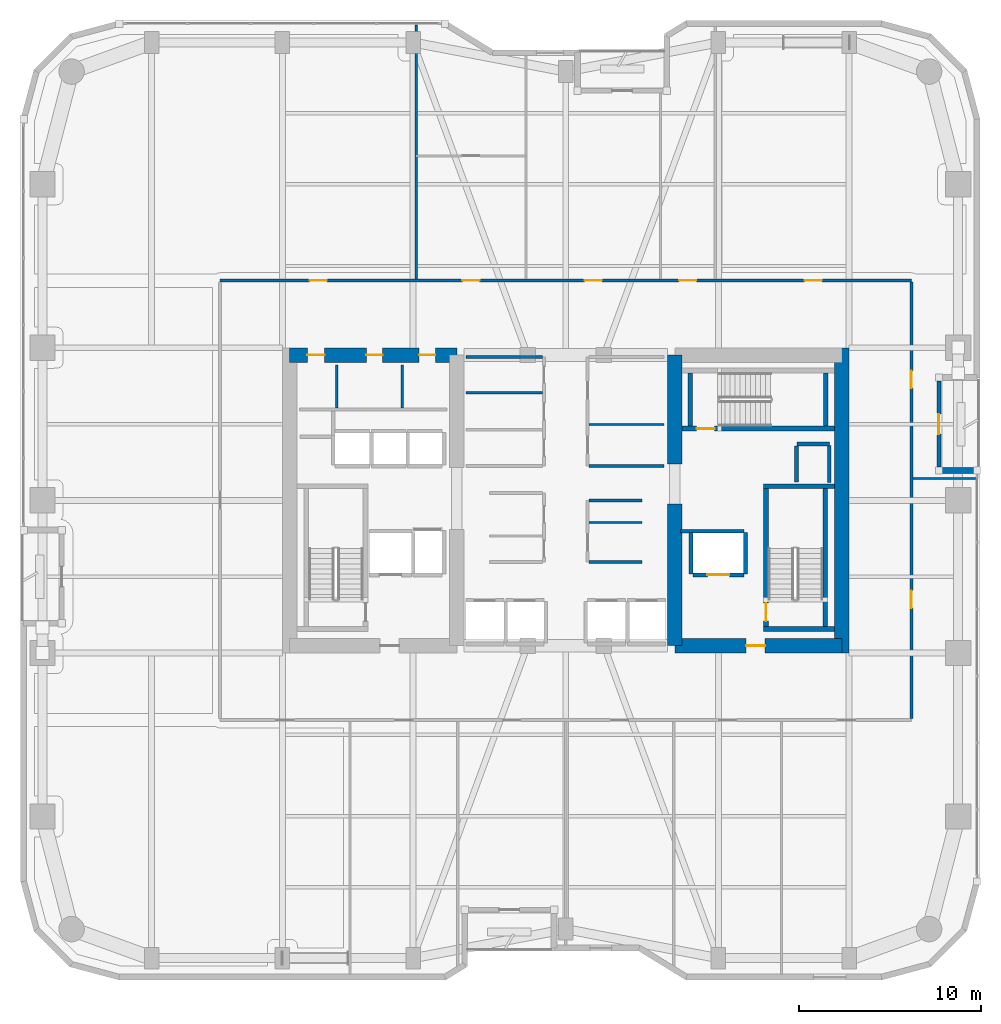
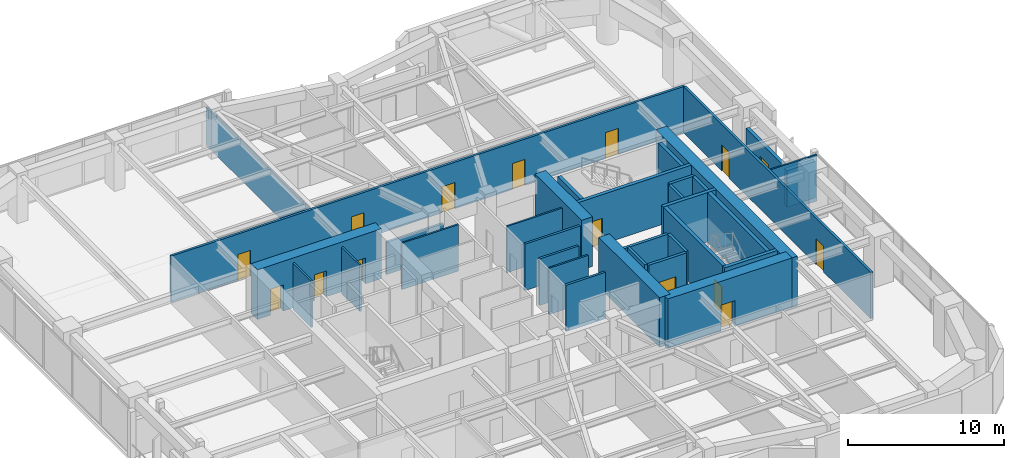
# One storey, part 20 of 24: 34 walls, 15 doors, 15 openings.
"""IFC4 building model written with IfcOpenShell, lengths in metres."""

from ifc_helpers import new_model, si_unit, direction, frame, frame_2d, origin, place, context, subcontext, project, spatial, rectangle, extrude, material, layer, layer_set, type_object, element, fill, save


model = new_model("IFC4")

# Units and contexts
model_context = context("Model", 3, precision=1e-05, world=origin(), true_north=direction((0.0, 1.0)))
body_context = subcontext(model_context, "Body", "Model", "MODEL_VIEW")
ifc_project = project(units=[si_unit("LENGTHUNIT", "METRE"), si_unit("AREAUNIT", "SQUARE_METRE"), si_unit("VOLUMEUNIT", "CUBIC_METRE"), si_unit("PLANEANGLEUNIT", "RADIAN"), si_unit("MASSUNIT", "GRAM", prefix="KILO")], contexts=[model_context])

# Site, building, storey
site_placement = place(None, origin())
site = spatial("IfcSite", under=ifc_project, at=site_placement, CompositionType="ELEMENT")
building_placement = place(site_placement, origin())
building = spatial("IfcBuilding", under=site, at=building_placement, Name="Kiyonajd Concourse Tower", CompositionType="ELEMENT")
storey_placement = place(building_placement, frame((0.0, 0.0, 101.39990234375)))
storey = spatial("IfcBuildingStorey", under=building, at=storey_placement, Name="L26", CompositionType="ELEMENT", Elevation=101.39990234375)

# Wall, openings, doors
ifc_material_1 = material(Name="Concrete C70/85", Category="concrete")
ifc_layer_1 = layer(ifc_material_1, 0.800048828125)
ifc_layer_set_1 = layer_set([ifc_layer_1], Name="Concrete C70/85")
wall_type_1 = type_object("IfcWallType", Name="WL-CORE-800", PredefinedType="SHEAR", material=ifc_layer_set_1)
wall_1_placement = place(storey_placement, frame((32.800048828125, 44.0, 0.0), z_axis=(0.0, 0.0, 1.0), x_axis=(1.0, 0.0, 0.0)))
wall_1 = element("IfcWall", 1, at=wall_1_placement, inside=storey, type_object=wall_type_1, Name="L26 West Core North Shear Wall", PredefinedType="SHEAR", context=body_context, shape_type="SweptSolid", body=[
    extrude(rectangle(XDim=9.199951171875, YDim=0.800048828125, at=frame_2d((4.60009765625, 0.0))), origin(), (0.0, 0.0, 1.0), 3.900146484375),
])
opening_1_placement = place(wall_1_placement, frame((0.97509765625, 0.0, 0.0)))
opening_1 = element("IfcOpeningElement", 2, at=opening_1_placement, cuts=wall_1, Name="Opening DI1", PredefinedType="OPENING", context=body_context, shape_type="SweptSolid", body=[
    extrude(rectangle(XDim=0.949951171875, YDim=2.0400390625, at=frame_2d((0.47509765625, 1.02001953125))), frame((0.0, 0.409912109375, 0.0), z_axis=(0.0, -1.0, 0.0), x_axis=(1.0, 0.0, 0.0)), (0.0, 0.0, 1.0), 0.820068359375),
])
opening_2_placement = place(wall_1_placement, frame((4.22509765625, 0.0, 0.0)))
opening_2 = element("IfcOpeningElement", 3, at=opening_2_placement, cuts=wall_1, Name="Opening DI2", PredefinedType="OPENING", context=body_context, shape_type="SweptSolid", body=[
    extrude(rectangle(XDim=0.89990234375, YDim=2.02001953125, at=frame_2d((0.449951171875, 1.010009765625))), frame((0.0, 0.409912109375, 0.0), z_axis=(0.0, -1.0, 0.0), x_axis=(1.0, 0.0, 0.0)), (0.0, 0.0, 1.0), 0.820068359375),
])
opening_3_placement = place(wall_1_placement, frame((7.125, 0.0, 0.0)))
opening_3 = element("IfcOpeningElement", 4, at=opening_3_placement, cuts=wall_1, Name="Opening DI2", PredefinedType="OPENING", context=body_context, shape_type="SweptSolid", body=[
    extrude(rectangle(XDim=0.89990234375, YDim=2.02001953125, at=frame_2d((0.449951171875, 1.010009765625))), frame((0.0, 0.409912109375, 0.0), z_axis=(0.0, -1.0, 0.0), x_axis=(1.0, 0.0, 0.0)), (0.0, 0.0, 1.0), 0.820068359375),
])
ifc_material_2 = material(Name="Natural Oak Acoustic Timber Veneer", Category="wood")
door_type_1 = type_object("IfcDoorType", Name="DR-INT-900", OperationType="NOTDEFINED", PredefinedType="DOOR", material=ifc_material_2)
door_1_placement = place(opening_2_placement, origin())
door_1 = element("IfcDoor", 5, at=door_1_placement, inside=storey, type_object=door_type_1, Name="L26 Male Restroom Door", OperationType="SINGLE_SWING_RIGHT", OverallHeight=2.02001953125, OverallWidth=0.89990234375, PredefinedType="DOOR", context=body_context, shape_type="SweptSolid", body=[
    extrude(rectangle(XDim=0.89990234375, YDim=2.02001953125, at=frame_2d((0.449951171875, 1.010009765625))), frame((0.0, 0.02490234375, 0.0), z_axis=(0.0, -1.0, 0.0), x_axis=(1.0, 0.0, 0.0)), (0.0, 0.0, 1.0), 0.050048828125),
])
fill(opening_2, door_1)
door_2_placement = place(opening_3_placement, origin())
door_2 = element("IfcDoor", 6, at=door_2_placement, inside=storey, type_object=door_type_1, Name="L26 Female Restroom Door", OperationType="SINGLE_SWING_LEFT", OverallHeight=2.02001953125, OverallWidth=0.89990234375, PredefinedType="DOOR", context=body_context, shape_type="SweptSolid", body=[
    extrude(rectangle(XDim=0.89990234375, YDim=2.02001953125, at=frame_2d((0.449951171875, 1.010009765625))), frame((0.0, 0.02490234375, 0.0), z_axis=(0.0, -1.0, 0.0), x_axis=(1.0, 0.0, 0.0)), (0.0, 0.0, 1.0), 0.050048828125),
])
fill(opening_3, door_2)
door_type_2 = type_object("IfcDoorType", Name="DR-INT-950", OperationType="NOTDEFINED", PredefinedType="DOOR", material=ifc_material_2)
door_3_placement = place(opening_1_placement, origin())
door_3 = element("IfcDoor", 7, at=door_3_placement, inside=storey, type_object=door_type_2, Name="L26 Single User Accessible WC Door", OperationType="SINGLE_SWING_LEFT", OverallHeight=2.0400390625, OverallWidth=0.949951171875, PredefinedType="DOOR", context=body_context, shape_type="SweptSolid", body=[
    extrude(rectangle(XDim=0.949951171875, YDim=2.0400390625, at=frame_2d((0.47509765625, 1.02001953125))), frame((0.0, 0.02490234375, 0.0), z_axis=(0.0, -1.0, 0.0), x_axis=(1.0, 0.0, 0.0)), (0.0, 0.0, 1.0), 0.050048828125),
])
fill(opening_1, door_3)

# Walls
wall_2_placement = place(storey_placement, frame((54.0, 28.0, 0.0), z_axis=(0.0, 0.0, 1.0), x_axis=(0.0, 1.0, 0.0)))
element("IfcWall", 8, at=wall_2_placement, inside=storey, type_object=wall_type_1, Name="L26 East Core Inner South Shear Wall", PredefinedType="SHEAR", context=body_context, shape_type="SweptSolid", body=[
    extrude(rectangle(XDim=7.800048828125, YDim=0.800048828125, at=frame_2d((3.89990234375, 0.0))), origin(), (0.0, 0.0, 1.0), 3.900146484375),
])
wall_3_placement = place(storey_placement, frame((54.0, 38.0, 0.0), z_axis=(0.0, 0.0, 1.0), x_axis=(0.0, 1.0, 0.0)))
element("IfcWall", 9, at=wall_3_placement, inside=storey, type_object=wall_type_1, Name="L26 East Core Inner North Shear Wall", PredefinedType="SHEAR", context=body_context, shape_type="SweptSolid", body=[
    extrude(rectangle(XDim=6.0, YDim=0.800048828125, at=frame_2d((3.0, 0.0))), origin(), (0.0, 0.0, 1.0), 3.900146484375),
])
wall_4_placement = place(storey_placement, frame((63.199951171875, 27.60009765625, 0.0), z_axis=(0.0, 0.0, 1.0), x_axis=(0.0, 1.0, 0.0)))
element("IfcWall", 10, at=wall_4_placement, inside=storey, type_object=wall_type_1, Name="L26 East Core Outer Shear Wall", PredefinedType="SHEAR", context=body_context, shape_type="SweptSolid", body=[
    extrude(rectangle(XDim=16.7998046875, YDim=0.800048828125, at=frame_2d((8.39990234375, 0.0))), origin(), (0.0, 0.0, 1.0), 3.900146484375),
])

# Wall, opening, door
wall_5_placement = place(storey_placement, frame((54.0, 28.0, 0.0), z_axis=(0.0, 0.0, 1.0), x_axis=(1.0, 0.0, 0.0)))
wall_5 = element("IfcWall", 11, at=wall_5_placement, inside=storey, type_object=wall_type_1, Name="L26 East Core South Shear Wall", PredefinedType="SHEAR", context=body_context, shape_type="SweptSolid", body=[
    extrude(rectangle(XDim=9.199951171875, YDim=0.800048828125, at=frame_2d((4.60009765625, 0.0))), origin(), (0.0, 0.0, 1.0), 3.900146484375),
])
opening_4_placement = place(wall_5_placement, frame((3.925048828125, 0.0, 0.0)))
opening_4 = element("IfcOpeningElement", 12, at=opening_4_placement, cuts=wall_5, Name="Opening DF5", PredefinedType="OPENING", context=body_context, shape_type="SweptSolid", body=[
    extrude(rectangle(XDim=1.050048828125, YDim=2.0400390625, at=frame_2d((0.52490234375, 1.02001953125))), frame((0.0, 0.409912109375, 0.0), z_axis=(0.0, -1.0, 0.0), x_axis=(1.0, 0.0, 0.0)), (0.0, 0.0, 1.0), 0.820068359375),
])
ifc_material_3 = material(Name="Brushed Stainless Steel Cab Assembly", Category="steel")
door_type_3 = type_object("IfcDoorType", Name="DR-FD45-1050", OperationType="NOTDEFINED", PredefinedType="DOOR", material=ifc_material_3)
door_4_placement = place(opening_4_placement, origin())
door_4 = element("IfcDoor", 13, at=door_4_placement, inside=storey, type_object=door_type_3, Name="L26 Firefighting Lift Lobby E Smoke Door", OperationType="SINGLE_SWING_RIGHT", OverallHeight=2.0400390625, OverallWidth=1.050048828125, PredefinedType="DOOR", context=body_context, shape_type="SweptSolid", body=[
    extrude(rectangle(XDim=1.050048828125, YDim=2.0400390625, at=frame_2d((0.52490234375, 1.02001953125))), frame((0.0, 0.02490234375, 0.0), z_axis=(0.0, -1.0, 0.0), x_axis=(1.0, 0.0, 0.0)), (0.0, 0.0, 1.0), 0.050048828125),
])
fill(opening_4, door_4)

# Wall
ifc_material_4 = material(Name="Precast concrete C50/60", Category="concrete")
ifc_layer_2 = layer(ifc_material_4, 0.320068359375)
ifc_layer_set_2 = layer_set([ifc_layer_2], Name="Precast concrete C50/60")
wall_type_2 = type_object("IfcWallType", Name="WL-EXT-320", PredefinedType="SOLIDWALL", material=ifc_layer_set_2)
wall_6_placement = place(storey_placement, frame((68.5400390625, 37.639892578125, 0.0), z_axis=(0.0, 0.0, 1.0), x_axis=(1.0, 0.0, 0.0)))
element("IfcWall", 14, at=wall_6_placement, inside=storey, type_object=wall_type_2, Name="L26 Exterior Concrete Frame Wall 23", PredefinedType="SOLIDWALL", context=body_context, shape_type="SweptSolid", body=[
    extrude(rectangle(XDim=2.099853515625, YDim=0.320068359375, at=frame_2d((1.0498046875, 0.0))), origin(), (0.0, 0.0, 1.0), 2.875),
])

# Wall, opening, door
ifc_layer_3 = layer(ifc_material_4, 0.239990234375)
ifc_layer_set_3 = layer_set([ifc_layer_3], Name="Precast concrete C50/60")
wall_type_3 = type_object("IfcWallType", Name="WL-LOG-240", PredefinedType="SOLIDWALL", material=ifc_layer_set_3)
wall_7_placement = place(storey_placement, frame((68.5400390625, 42.56494140625, 0.0), z_axis=(0.0, 0.0, 1.0), x_axis=(0.0, -1.0, 0.0)))
wall_7 = element("IfcWall", 15, at=wall_7_placement, inside=storey, type_object=wall_type_3, Name="L26 Recessed Loggia Thermal Wall LOG-E", PredefinedType="SOLIDWALL", context=body_context, shape_type="SweptSolid", body=[
    extrude(rectangle(XDim=4.72998046875, YDim=0.239990234375, at=frame_2d((2.364990234375, 0.0))), origin(), (0.0, 0.0, 1.0), 3.162109375),
])
opening_5_placement = place(wall_7_placement, frame((1.81494140625, 0.0, 0.0)))
opening_5 = element("IfcOpeningElement", 16, at=opening_5_placement, cuts=wall_7, Name="Opening DL2", PredefinedType="OPENING", context=body_context, shape_type="SweptSolid", body=[
    extrude(rectangle(XDim=1.10009765625, YDim=2.0400390625, at=frame_2d((0.550048828125, 1.02001953125))), frame((0.0, 0.1298828125, 0.0), z_axis=(0.0, -1.0, 0.0), x_axis=(1.0, 0.0, 0.0)), (0.0, 0.0, 1.0), 0.260009765625),
])
ifc_material_5 = material(Name="Thermally Broken Anodised Aluminium", Category="aluminium")
door_type_4 = type_object("IfcDoorType", Name="DR-LOG-1100", OperationType="NOTDEFINED", PredefinedType="DOOR", material=ifc_material_5)
door_5_placement = place(opening_5_placement, origin())
door_5 = element("IfcDoor", 17, at=door_5_placement, inside=storey, type_object=door_type_4, Name="L26 Engawa Loggia Access Door LOG-E", OperationType="SINGLE_SWING_LEFT", OverallHeight=2.0400390625, OverallWidth=1.10009765625, PredefinedType="DOOR", context=body_context, shape_type="SweptSolid", body=[
    extrude(rectangle(XDim=1.10009765625, YDim=2.0400390625, at=frame_2d((0.550048828125, 1.02001953125))), frame((0.0, 0.02490234375, 0.0), z_axis=(0.0, -1.0, 0.0), x_axis=(1.0, 0.0, 0.0)), (0.0, 0.0, 1.0), 0.050048828125),
])
fill(opening_5, door_5)

# Walls
ifc_material_6 = material(Name="Gypsum Board on Cold-Formed Steel Stud", Category="steel")
ifc_layer_4 = layer(ifc_material_6, 0.125)
ifc_layer_set_4 = layer_set([ifc_layer_4], Name="Gypsum Board on Cold-Formed Steel Stud")
wall_type_4 = type_object("IfcWallType", Name="WL-PART-125", PredefinedType="PARTITIONING", material=ifc_layer_set_4)
for number, where, z_axis, x_axis, name in (
    (18, (35.39990234375, 41.094970703125, 0.0), (0.0, 0.0, 1.0), (0.0, 1.0, 0.0), "L26 Interior Partition Wall"),
    (19, (39.0, 41.094970703125, 0.0), (0.0, 0.0, 1.0), (0.0, 1.0, 0.0), "L26 Interior Partition Wall"),
):
    element("IfcWall", number, at=place(storey_placement, frame(where, z_axis=z_axis, x_axis=x_axis)), inside=storey, type_object=wall_type_4, Name=name, PredefinedType="PARTITIONING", context=body_context, shape_type="SweptSolid", body=[
        extrude(rectangle(XDim=2.35498046875, YDim=0.125, at=frame_2d((1.177490234375, 0.0))), origin(), (0.0, 0.0, 1.0), 3.64013671875),
    ])
wall_8_placement = place(storey_placement, frame((49.287109375, 34.77587890625, 0.0), z_axis=(0.0, 0.0, 1.0), x_axis=(1.0, 0.0, 0.0)))
element("IfcWall", 20, at=wall_8_placement, inside=storey, type_object=wall_type_4, Name="L26 Interior Partition Wall", PredefinedType="PARTITIONING", context=body_context, shape_type="SweptSolid", body=[
    extrude(rectangle(XDim=2.912841796875, YDim=0.125, at=frame_2d((1.45654296875, 0.0))), origin(), (0.0, 0.0, 1.0), 3.64013671875),
])
wall_9_placement = place(storey_placement, frame((42.5, 41.919921875, 0.0), z_axis=(0.0, 0.0, 1.0), x_axis=(1.0, 0.0, 0.0)))
element("IfcWall", 21, at=wall_9_placement, inside=storey, type_object=wall_type_4, Name="L26 Interior Partition Wall", PredefinedType="PARTITIONING", context=body_context, shape_type="SweptSolid", body=[
    extrude(rectangle(XDim=4.212890625, YDim=0.125, at=frame_2d((2.1064453125, 0.0))), origin(), (0.0, 0.0, 1.0), 3.64013671875),
])
wall_10_placement = place(storey_placement, frame((49.287109375, 40.179931640625, 0.0), z_axis=(0.0, 0.0, 1.0), x_axis=(1.0, 0.0, 0.0)))
element("IfcWall", 22, at=wall_10_placement, inside=storey, type_object=wall_type_4, Name="L26 Interior Partition Wall", PredefinedType="PARTITIONING", context=body_context, shape_type="SweptSolid", body=[
    extrude(rectangle(XDim=4.11279296875, YDim=0.125, at=frame_2d((2.056396484375, 0.0))), origin(), (0.0, 0.0, 1.0), 3.64013671875),
])
wall_11_placement = place(storey_placement, frame((39.77001953125, 48.18701171875, 0.0), z_axis=(0.0, 0.0, 1.0), x_axis=(0.0, 1.0, 0.0)))
element("IfcWall", 23, at=wall_11_placement, inside=storey, type_object=wall_type_4, Name="L26 Interior Partition Wall", PredefinedType="PARTITIONING", context=body_context, shape_type="SweptSolid", body=[
    extrude(rectangle(XDim=13.968017578125, YDim=0.125, at=frame_2d((6.98388671875, 0.0))), origin(), (0.0, 0.0, 1.0), 3.003173828125),
])
wall_12_placement = place(storey_placement, frame((67.112060546875, 37.199951171875, 0.0), z_axis=(0.0, 0.0, 1.0), x_axis=(1.0, 0.0, 0.0)))
element("IfcWall", 24, at=wall_12_placement, inside=storey, type_object=wall_type_4, Name="L26 Interior Partition Wall", PredefinedType="PARTITIONING", context=body_context, shape_type="SweptSolid", body=[
    extrude(rectangle(XDim=3.44287109375, YDim=0.125, at=frame_2d((1.721435546875, 0.0))), origin(), (0.0, 0.0, 1.0), 3.64013671875),
])
ifc_layer_5 = layer(ifc_material_6, 0.2099609375)
ifc_layer_set_5 = layer_set([ifc_layer_5], Name="Gypsum Board on Cold-Formed Steel Stud")
wall_type_5 = type_object("IfcWallType", Name="WL-SHAFT-210", PredefinedType="PARTITIONING", material=ifc_layer_set_5)
wall_13_placement = place(storey_placement, frame((60.719970703125, 39.10009765625, 0.0), z_axis=(0.0, 0.0, 1.0), x_axis=(1.0, 0.0, 0.0)))
element("IfcWall", 25, at=wall_13_placement, inside=storey, type_object=wall_type_5, Name="L26 Shaft Enclosure Wall", PredefinedType="PARTITIONING", context=body_context, shape_type="SweptSolid", body=[
    extrude(rectangle(XDim=1.800048828125, YDim=0.2099609375, at=frame_2d((0.89990234375, 0.0))), origin(), (0.0, 0.0, 1.0), 3.64013671875),
])
wall_14_placement = place(storey_placement, frame((60.699951171875, 37.02001953125, 0.0), z_axis=(0.0, 0.0, 1.0), x_axis=(0.0, 1.0, 0.0)))
element("IfcWall", 26, at=wall_14_placement, inside=storey, type_object=wall_type_5, Name="L26 Shaft Enclosure Wall", PredefinedType="PARTITIONING", context=body_context, shape_type="SweptSolid", body=[
    extrude(rectangle(XDim=1.9599609375, YDim=0.2099609375, at=frame_2d((0.97998046875, 0.0))), origin(), (0.0, 0.0, 1.0), 3.64013671875),
])
wall_15_placement = place(storey_placement, frame((62.5, 36.97998046875, 0.0), z_axis=(0.0, 0.0, 1.0), x_axis=(0.0, 1.0, 0.0)))
element("IfcWall", 27, at=wall_15_placement, inside=storey, type_object=wall_type_5, Name="L26 Shaft Enclosure Wall", PredefinedType="PARTITIONING", context=body_context, shape_type="SweptSolid", body=[
    extrude(rectangle(XDim=2.0400390625, YDim=0.2099609375, at=frame_2d((1.02001953125, 0.0))), origin(), (0.0, 0.0, 1.0), 3.64013671875),
])

# Wall, opening, door
wall_16_placement = place(storey_placement, frame((55.0, 31.89990234375, 0.0), z_axis=(0.0, 0.0, 1.0), x_axis=(1.0, 0.0, 0.0)))
wall_16 = element("IfcWall", 28, at=wall_16_placement, inside=storey, type_object=wall_type_5, Name="L26 Shaft Enclosure Wall", PredefinedType="PARTITIONING", context=body_context, shape_type="SweptSolid", body=[
    extrude(rectangle(XDim=2.800048828125, YDim=0.2099609375, at=frame_2d((1.39990234375, 0.0))), origin(), (0.0, 0.0, 1.0), 3.64013671875),
])
opening_6_placement = place(wall_16_placement, frame((0.800048828125, 0.0, 0.0)))
opening_6 = element("IfcOpeningElement", 29, at=opening_6_placement, cuts=wall_16, Name="Opening LD2", PredefinedType="OPENING", context=body_context, shape_type="SweptSolid", body=[
    extrude(rectangle(XDim=1.199951171875, YDim=2.0400390625, at=frame_2d((0.60009765625, 1.02001953125))), frame((0.0, 0.114990234375, 0.0), z_axis=(0.0, -1.0, 0.0), x_axis=(1.0, 0.0, 0.0)), (0.0, 0.0, 1.0), 0.22998046875),
])
door_type_5 = type_object("IfcDoorType", Name="DR-LD-1200", OperationType="DOUBLE_DOOR_SLIDING", PredefinedType="DOOR", material=ifc_material_3)
door_6_placement = place(opening_6_placement, origin())
door_6 = element("IfcDoor", 30, at=door_6_placement, inside=storey, type_object=door_type_5, Name="L26 Lift FFL2 Sliding Landing Door", OperationType="DOUBLE_DOOR_SLIDING", OverallHeight=2.0400390625, OverallWidth=1.199951171875, PredefinedType="DOOR", context=body_context, shape_type="SweptSolid", body=[
    extrude(rectangle(XDim=1.199951171875, YDim=2.0400390625, at=frame_2d((0.60009765625, 1.02001953125))), frame((0.0, 0.02490234375, 0.0), z_axis=(0.0, -1.0, 0.0), x_axis=(1.0, 0.0, 0.0)), (0.0, 0.0, 1.0), 0.050048828125),
])
fill(opening_6, door_6)

# Walls
wall_17_placement = place(storey_placement, frame((54.320068359375, 34.300048828125, 0.0), z_axis=(0.0, 0.0, 1.0), x_axis=(1.0, 0.0, 0.0)))
element("IfcWall", 31, at=wall_17_placement, inside=storey, type_object=wall_type_5, Name="L26 Shaft Enclosure Wall", PredefinedType="PARTITIONING", context=body_context, shape_type="SweptSolid", body=[
    extrude(rectangle(XDim=3.47998046875, YDim=0.2099609375, at=frame_2d((1.739990234375, 0.0))), origin(), (0.0, 0.0, 1.0), 3.64013671875),
])
for number, where, z_axis, x_axis, name in (
    (32, (54.89990234375, 31.9599609375, 0.0), (0.0, 0.0, 1.0), (0.0, 1.0, 0.0), "L26 Shaft Enclosure Wall"),
    (33, (57.89990234375, 31.9599609375, 0.0), (0.0, 0.0, 1.0), (0.0, 1.0, 0.0), "L26 Shaft Enclosure Wall"),
):
    element("IfcWall", number, at=place(storey_placement, frame(where, z_axis=z_axis, x_axis=x_axis)), inside=storey, type_object=wall_type_5, Name=name, PredefinedType="PARTITIONING", context=body_context, shape_type="SweptSolid", body=[
        extrude(rectangle(XDim=2.280029296875, YDim=0.2099609375, at=frame_2d((1.14013671875, 0.0))), origin(), (0.0, 0.0, 1.0), 3.64013671875),
    ])
ifc_layer_6 = layer(ifc_material_6, 0.169921875)
ifc_layer_set_6 = layer_set([ifc_layer_6], Name="Gypsum Board on Cold-Formed Steel Stud")
wall_type_6 = type_object("IfcWallType", Name="WL-SMK-170", PredefinedType="PARTITIONING", material=ifc_layer_set_6)
for number, where, z_axis, x_axis, name in (
    (34, (49.287109375, 32.60009765625, 0.0), (0.0, 0.0, 1.0), (1.0, 0.0, 0.0), "L26 Interior Partition Wall"),
    (35, (49.287109375, 36.0, 0.0), (0.0, 0.0, 1.0), (1.0, 0.0, 0.0), "L26 Interior Partition Wall"),
):
    element("IfcWall", number, at=place(storey_placement, frame(where, z_axis=z_axis, x_axis=x_axis)), inside=storey, type_object=wall_type_6, Name=name, PredefinedType="PARTITIONING", context=body_context, shape_type="SweptSolid", body=[
        extrude(rectangle(XDim=2.912841796875, YDim=0.169921875, at=frame_2d((1.45654296875, 0.0))), origin(), (0.0, 0.0, 1.0), 3.64013671875),
    ])
wall_18_placement = place(storey_placement, frame((42.5, 43.89990234375, 0.0), z_axis=(0.0, 0.0, 1.0), x_axis=(1.0, 0.0, 0.0)))
element("IfcWall", 36, at=wall_18_placement, inside=storey, type_object=wall_type_6, Name="L26 Interior Partition Wall", PredefinedType="PARTITIONING", context=body_context, shape_type="SweptSolid", body=[
    extrude(rectangle(XDim=4.212890625, YDim=0.169921875, at=frame_2d((2.1064453125, 0.0))), origin(), (0.0, 0.0, 1.0), 2.525146484375),
])
wall_19_placement = place(storey_placement, frame((49.287109375, 37.89990234375, 0.0), z_axis=(0.0, 0.0, 1.0), x_axis=(1.0, 0.0, 0.0)))
element("IfcWall", 37, at=wall_19_placement, inside=storey, type_object=wall_type_6, Name="L26 Interior Partition Wall", PredefinedType="PARTITIONING", context=body_context, shape_type="SweptSolid", body=[
    extrude(rectangle(XDim=4.11279296875, YDim=0.169921875, at=frame_2d((2.056396484375, 0.0))), origin(), (0.0, 0.0, 1.0), 3.64013671875),
])

# Wall, openings, doors
wall_20_placement = place(storey_placement, frame((28.97509765625, 48.10009765625, 0.0), z_axis=(0.0, 0.0, 1.0), x_axis=(1.0, 0.0, 0.0)))
wall_20 = element("IfcWall", 38, at=wall_20_placement, inside=storey, type_object=wall_type_6, Name="L26 Interior Partition Wall", PredefinedType="PARTITIONING", context=body_context, shape_type="SweptSolid", body=[
    extrude(rectangle(XDim=38.0498046875, YDim=0.169921875, at=frame_2d((19.02490234375, 0.0))), origin(), (0.0, 0.0, 1.0), 3.64013671875),
])
opening_7_placement = place(wall_20_placement, frame((4.923095703125, 0.0, 0.0)))
opening_7 = element("IfcOpeningElement", 39, at=opening_7_placement, cuts=wall_20, Name="Opening DI1", PredefinedType="OPENING", context=body_context, shape_type="SweptSolid", body=[
    extrude(rectangle(XDim=0.949951171875, YDim=2.0400390625, at=frame_2d((0.47509765625, 1.02001953125))), frame((0.0, 0.094970703125, 0.0), z_axis=(0.0, -1.0, 0.0), x_axis=(1.0, 0.0, 0.0)), (0.0, 0.0, 1.0), 0.18994140625),
])
opening_8_placement = place(wall_20_placement, frame((13.340087890625, 0.0, 0.0)))
opening_8 = element("IfcOpeningElement", 40, at=opening_8_placement, cuts=wall_20, Name="Opening DI1", PredefinedType="OPENING", context=body_context, shape_type="SweptSolid", body=[
    extrude(rectangle(XDim=0.949951171875, YDim=2.0400390625, at=frame_2d((0.47509765625, 1.02001953125))), frame((0.0, 0.094970703125, 0.0), z_axis=(0.0, -1.0, 0.0), x_axis=(1.0, 0.0, 0.0)), (0.0, 0.0, 1.0), 0.18994140625),
])
opening_9_placement = place(wall_20_placement, frame((20.06005859375, 0.0, 0.0)))
opening_9 = element("IfcOpeningElement", 41, at=opening_9_placement, cuts=wall_20, Name="Opening DI1", PredefinedType="OPENING", context=body_context, shape_type="SweptSolid", body=[
    extrude(rectangle(XDim=0.949951171875, YDim=2.0400390625, at=frame_2d((0.47509765625, 1.02001953125))), frame((0.0, 0.094970703125, 0.0), z_axis=(0.0, -1.0, 0.0), x_axis=(1.0, 0.0, 0.0)), (0.0, 0.0, 1.0), 0.18994140625),
])
opening_10_placement = place(wall_20_placement, frame((25.27001953125, 0.0, 0.0)))
opening_10 = element("IfcOpeningElement", 42, at=opening_10_placement, cuts=wall_20, Name="Opening DI1", PredefinedType="OPENING", context=body_context, shape_type="SweptSolid", body=[
    extrude(rectangle(XDim=0.949951171875, YDim=2.0400390625, at=frame_2d((0.47509765625, 1.02001953125))), frame((0.0, 0.094970703125, 0.0), z_axis=(0.0, -1.0, 0.0), x_axis=(1.0, 0.0, 0.0)), (0.0, 0.0, 1.0), 0.18994140625),
])
opening_11_placement = place(wall_20_placement, frame((32.177978515625, 0.0, 0.0)))
opening_11 = element("IfcOpeningElement", 43, at=opening_11_placement, cuts=wall_20, Name="Opening DI1", PredefinedType="OPENING", context=body_context, shape_type="SweptSolid", body=[
    extrude(rectangle(XDim=0.949951171875, YDim=2.0400390625, at=frame_2d((0.47509765625, 1.02001953125))), frame((0.0, 0.094970703125, 0.0), z_axis=(0.0, -1.0, 0.0), x_axis=(1.0, 0.0, 0.0)), (0.0, 0.0, 1.0), 0.18994140625),
])
door_7_placement = place(opening_7_placement, origin())
door_7 = element("IfcDoor", 44, at=door_7_placement, inside=storey, type_object=door_type_2, Name="L26 Interior Door", OperationType="SINGLE_SWING_LEFT", OverallHeight=2.0400390625, OverallWidth=0.949951171875, PredefinedType="DOOR", context=body_context, shape_type="SweptSolid", body=[
    extrude(rectangle(XDim=0.949951171875, YDim=2.0400390625, at=frame_2d((0.47509765625, 1.02001953125))), frame((0.0, 0.02490234375, 0.0), z_axis=(0.0, -1.0, 0.0), x_axis=(1.0, 0.0, 0.0)), (0.0, 0.0, 1.0), 0.050048828125),
])
fill(opening_7, door_7)
door_8_placement = place(opening_8_placement, origin())
door_8 = element("IfcDoor", 45, at=door_8_placement, inside=storey, type_object=door_type_2, Name="L26 Interior Door", OperationType="SINGLE_SWING_LEFT", OverallHeight=2.0400390625, OverallWidth=0.949951171875, PredefinedType="DOOR", context=body_context, shape_type="SweptSolid", body=[
    extrude(rectangle(XDim=0.949951171875, YDim=2.0400390625, at=frame_2d((0.47509765625, 1.02001953125))), frame((0.0, 0.02490234375, 0.0), z_axis=(0.0, -1.0, 0.0), x_axis=(1.0, 0.0, 0.0)), (0.0, 0.0, 1.0), 0.050048828125),
])
fill(opening_8, door_8)
door_9_placement = place(opening_9_placement, origin())
door_9 = element("IfcDoor", 46, at=door_9_placement, inside=storey, type_object=door_type_2, Name="L26 Interior Door", OperationType="SINGLE_SWING_RIGHT", OverallHeight=2.0400390625, OverallWidth=0.949951171875, PredefinedType="DOOR", context=body_context, shape_type="SweptSolid", body=[
    extrude(rectangle(XDim=0.949951171875, YDim=2.0400390625, at=frame_2d((0.47509765625, 1.02001953125))), frame((0.0, 0.02490234375, 0.0), z_axis=(0.0, -1.0, 0.0), x_axis=(1.0, 0.0, 0.0)), (0.0, 0.0, 1.0), 0.050048828125),
])
fill(opening_9, door_9)
door_10_placement = place(opening_10_placement, origin())
door_10 = element("IfcDoor", 47, at=door_10_placement, inside=storey, type_object=door_type_2, Name="L26 Interior Door", OperationType="SINGLE_SWING_LEFT", OverallHeight=2.0400390625, OverallWidth=0.949951171875, PredefinedType="DOOR", context=body_context, shape_type="SweptSolid", body=[
    extrude(rectangle(XDim=0.949951171875, YDim=2.0400390625, at=frame_2d((0.47509765625, 1.02001953125))), frame((0.0, 0.02490234375, 0.0), z_axis=(0.0, -1.0, 0.0), x_axis=(1.0, 0.0, 0.0)), (0.0, 0.0, 1.0), 0.050048828125),
])
fill(opening_10, door_10)
door_11_placement = place(opening_11_placement, origin())
door_11 = element("IfcDoor", 48, at=door_11_placement, inside=storey, type_object=door_type_2, Name="L26 Interior Door", OperationType="SINGLE_SWING_RIGHT", OverallHeight=2.0400390625, OverallWidth=0.949951171875, PredefinedType="DOOR", context=body_context, shape_type="SweptSolid", body=[
    extrude(rectangle(XDim=0.949951171875, YDim=2.0400390625, at=frame_2d((0.47509765625, 1.02001953125))), frame((0.0, 0.02490234375, 0.0), z_axis=(0.0, -1.0, 0.0), x_axis=(1.0, 0.0, 0.0)), (0.0, 0.0, 1.0), 0.050048828125),
])
fill(opening_11, door_11)

wall_21_placement = place(storey_placement, frame((67.02490234375, 23.987060546875, 0.0), z_axis=(0.0, 0.0, 1.0), x_axis=(0.0, 1.0, 0.0)))
wall_21 = element("IfcWall", 49, at=wall_21_placement, inside=storey, type_object=wall_type_6, Name="L26 Interior Partition Wall", PredefinedType="PARTITIONING", context=body_context, shape_type="SweptSolid", body=[
    extrude(rectangle(XDim=24.02587890625, YDim=0.169921875, at=frame_2d((12.012939453125, 0.0))), origin(), (0.0, 0.0, 1.0), 3.64013671875),
])
opening_12_placement = place(wall_21_placement, frame((6.087890625, 0.0, 0.0)))
opening_12 = element("IfcOpeningElement", 50, at=opening_12_placement, cuts=wall_21, Name="Opening DI1", PredefinedType="OPENING", context=body_context, shape_type="SweptSolid", body=[
    extrude(rectangle(XDim=0.949951171875, YDim=2.0400390625, at=frame_2d((0.47509765625, 1.02001953125))), frame((0.0, 0.094970703125, 0.0), z_axis=(0.0, -1.0, 0.0), x_axis=(1.0, 0.0, 0.0)), (0.0, 0.0, 1.0), 0.18994140625),
])
opening_13_placement = place(wall_21_placement, frame((18.18798828125, 0.0, 0.0)))
opening_13 = element("IfcOpeningElement", 51, at=opening_13_placement, cuts=wall_21, Name="Opening DI1", PredefinedType="OPENING", context=body_context, shape_type="SweptSolid", body=[
    extrude(rectangle(XDim=0.949951171875, YDim=2.0400390625, at=frame_2d((0.47509765625, 1.02001953125))), frame((0.0, 0.094970703125, 0.0), z_axis=(0.0, -1.0, 0.0), x_axis=(1.0, 0.0, 0.0)), (0.0, 0.0, 1.0), 0.18994140625),
])
door_12_placement = place(opening_12_placement, origin())
door_12 = element("IfcDoor", 52, at=door_12_placement, inside=storey, type_object=door_type_2, Name="L26 Interior Door", OperationType="SINGLE_SWING_RIGHT", OverallHeight=2.0400390625, OverallWidth=0.949951171875, PredefinedType="DOOR", context=body_context, shape_type="SweptSolid", body=[
    extrude(rectangle(XDim=0.949951171875, YDim=2.0400390625, at=frame_2d((0.47509765625, 1.02001953125))), frame((0.0, 0.02490234375, 0.0), z_axis=(0.0, -1.0, 0.0), x_axis=(1.0, 0.0, 0.0)), (0.0, 0.0, 1.0), 0.050048828125),
])
fill(opening_12, door_12)
door_13_placement = place(opening_13_placement, origin())
door_13 = element("IfcDoor", 53, at=door_13_placement, inside=storey, type_object=door_type_2, Name="L26 Interior Door", OperationType="SINGLE_SWING_LEFT", OverallHeight=2.0400390625, OverallWidth=0.949951171875, PredefinedType="DOOR", context=body_context, shape_type="SweptSolid", body=[
    extrude(rectangle(XDim=0.949951171875, YDim=2.0400390625, at=frame_2d((0.47509765625, 1.02001953125))), frame((0.0, 0.02490234375, 0.0), z_axis=(0.0, -1.0, 0.0), x_axis=(1.0, 0.0, 0.0)), (0.0, 0.0, 1.0), 0.050048828125),
])
fill(opening_13, door_13)

# Walls
ifc_material_7 = material(Name="Concrete C50/60", Category="concrete")
ifc_layer_7 = layer(ifc_material_7, 0.260009765625)
ifc_layer_set_7 = layer_set([ifc_layer_7], Name="Concrete C50/60")
wall_type_7 = type_object("IfcWallType", Name="WL-STAIR-260", PredefinedType="SHEAR", material=ifc_layer_set_7)
for number, where, z_axis, x_axis, name in (
    (54, (58.889892578125, 28.919921875, 0.0), (0.0, 0.0, 1.0), (1.0, 0.0, 0.0), "L26 Stair ST2 Structural South Wall"),
    (55, (58.889892578125, 36.780029296875, 0.0), (0.0, 0.0, 1.0), (1.0, 0.0, 0.0), "L26 Stair ST2 Structural North Wall"),
):
    element("IfcWall", number, at=place(storey_placement, frame(where, z_axis=z_axis, x_axis=x_axis)), inside=storey, type_object=wall_type_7, Name=name, PredefinedType="SHEAR", context=body_context, shape_type="SweptSolid", body=[
        extrude(rectangle(XDim=3.91015625, YDim=0.260009765625, at=frame_2d((1.955078125, 0.0))), origin(), (0.0, 0.0, 1.0), 3.900146484375),
    ])

# Wall, opening, door
wall_22_placement = place(storey_placement, frame((59.02001953125, 29.050048828125, 0.0), z_axis=(0.0, 0.0, 1.0), x_axis=(0.0, 1.0, 0.0)))
wall_22 = element("IfcWall", 56, at=wall_22_placement, inside=storey, type_object=wall_type_7, Name="L26 Stair ST2 Structural West Wall", PredefinedType="SHEAR", context=body_context, shape_type="SweptSolid", body=[
    extrude(rectangle(XDim=7.599853515625, YDim=0.260009765625, at=frame_2d((3.7998046875, 0.0))), origin(), (0.0, 0.0, 1.0), 3.900146484375),
])
opening_14_placement = place(wall_22_placement, frame((0.300048828125, 0.0, 0.0)))
opening_14 = element("IfcOpeningElement", 57, at=opening_14_placement, cuts=wall_22, Name="Opening DF1", PredefinedType="OPENING", context=body_context, shape_type="SweptSolid", body=[
    extrude(rectangle(XDim=1.0, YDim=2.0400390625, at=frame_2d((0.5, 1.02001953125))), frame((0.0, 0.139892578125, 0.0), z_axis=(0.0, -1.0, 0.0), x_axis=(1.0, 0.0, 0.0)), (0.0, 0.0, 1.0), 0.280029296875),
])
door_type_6 = type_object("IfcDoorType", Name="DR-FD90-1000", OperationType="NOTDEFINED", PredefinedType="DOOR", material=ifc_material_3)
door_14_placement = place(opening_14_placement, origin())
door_14 = element("IfcDoor", 58, at=door_14_placement, inside=storey, type_object=door_type_6, Name="L26 Stair ST2 FSAE Door", OperationType="SINGLE_SWING_RIGHT", OverallHeight=2.0400390625, OverallWidth=1.0, PredefinedType="DOOR", context=body_context, shape_type="SweptSolid", body=[
    extrude(rectangle(XDim=1.0, YDim=2.0400390625, at=frame_2d((0.5, 1.02001953125))), frame((0.0, 0.02490234375, 0.0), z_axis=(0.0, -1.0, 0.0), x_axis=(1.0, 0.0, 0.0)), (0.0, 0.0, 1.0), 0.050048828125),
])
fill(opening_14, door_14)

# Wall
wall_23_placement = place(storey_placement, frame((62.280029296875, 29.050048828125, 0.0), z_axis=(0.0, 0.0, 1.0), x_axis=(0.0, 1.0, 0.0)))
element("IfcWall", 59, at=wall_23_placement, inside=storey, type_object=wall_type_7, Name="L26 Stair ST2 Structural East Wall", PredefinedType="SHEAR", context=body_context, shape_type="SweptSolid", body=[
    extrude(rectangle(XDim=7.599853515625, YDim=0.260009765625, at=frame_2d((3.7998046875, 0.0))), origin(), (0.0, 0.0, 1.0), 3.900146484375),
])

# Wall, opening, door
wall_24_placement = place(storey_placement, frame((54.39990234375, 39.949951171875, 0.0), z_axis=(0.0, 0.0, 1.0), x_axis=(1.0, 0.0, 0.0)))
wall_24 = element("IfcWall", 60, at=wall_24_placement, inside=storey, type_object=wall_type_7, Name="L26 Stair ST3 Structural South Wall", PredefinedType="SHEAR", context=body_context, shape_type="SweptSolid", body=[
    extrude(rectangle(XDim=8.400146484375, YDim=0.260009765625, at=frame_2d((4.2001953125, 0.0))), origin(), (0.0, 0.0, 1.0), 3.900146484375),
])
opening_15_placement = place(wall_24_placement, frame((0.800048828125, 0.0, 0.0)))
opening_15 = element("IfcOpeningElement", 61, at=opening_15_placement, cuts=wall_24, Name="Opening DF1", PredefinedType="OPENING", context=body_context, shape_type="SweptSolid", body=[
    extrude(rectangle(XDim=1.0, YDim=2.0400390625, at=frame_2d((0.5, 1.02001953125))), frame((0.0, 0.139892578125, 0.0), z_axis=(0.0, -1.0, 0.0), x_axis=(1.0, 0.0, 0.0)), (0.0, 0.0, 1.0), 0.280029296875),
])
door_15_placement = place(opening_15_placement, origin())
door_15 = element("IfcDoor", 62, at=door_15_placement, inside=storey, type_object=door_type_6, Name="L26 Stair ST3 Enclosure Door", OperationType="SINGLE_SWING_LEFT", OverallHeight=2.0400390625, OverallWidth=1.0, PredefinedType="DOOR", context=body_context, shape_type="SweptSolid", body=[
    extrude(rectangle(XDim=1.0, YDim=2.0400390625, at=frame_2d((0.5, 1.02001953125))), frame((0.0, 0.02490234375, 0.0), z_axis=(0.0, -1.0, 0.0), x_axis=(1.0, 0.0, 0.0)), (0.0, 0.0, 1.0), 0.050048828125),
])
fill(opening_15, door_15)

# Walls
for number, where, z_axis, x_axis, name in (
    (63, (54.85009765625, 40.080078125, 0.0), (0.0, 0.0, 1.0), (0.0, 1.0, 0.0), "L26 Stair ST3 Structural West Wall"),
    (64, (62.31005859375, 40.080078125, 0.0), (0.0, 0.0, 1.0), (0.0, 1.0, 0.0), "L26 Stair ST3 Structural East Wall"),
):
    element("IfcWall", number, at=place(storey_placement, frame(where, z_axis=z_axis, x_axis=x_axis)), inside=storey, type_object=wall_type_7, Name=name, PredefinedType="SHEAR", context=body_context, shape_type="SweptSolid", body=[
        extrude(rectangle(XDim=2.93994140625, YDim=0.260009765625, at=frame_2d((1.469970703125, 0.0))), origin(), (0.0, 0.0, 1.0), 3.900146484375),
    ])

save(model, "model.ifc")
